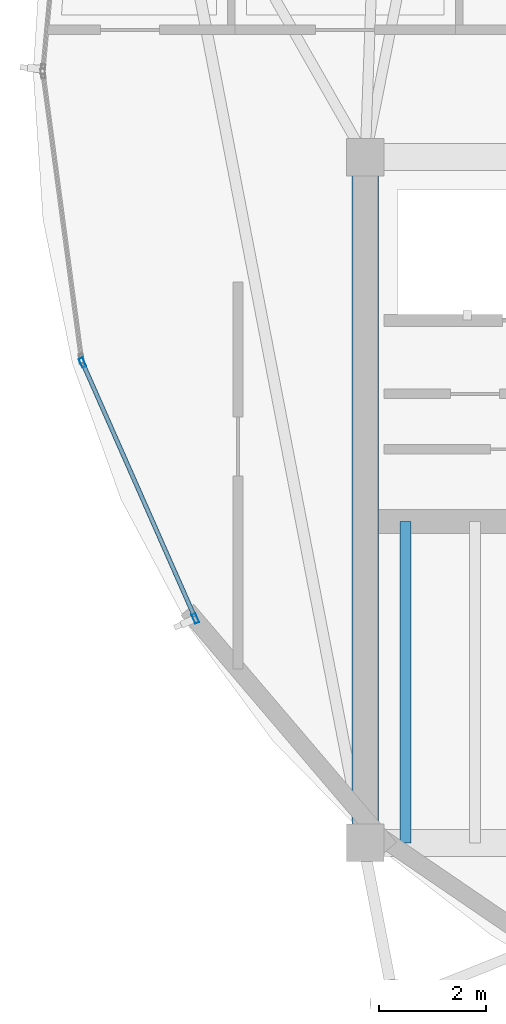
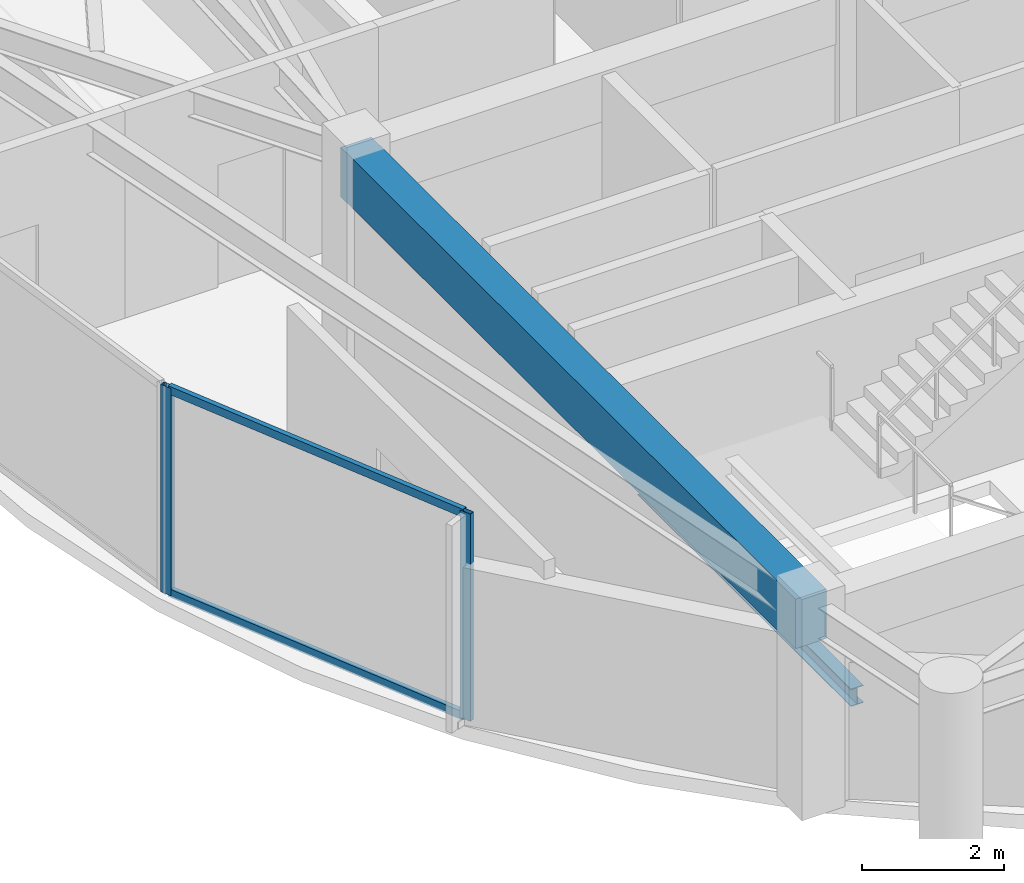
# One storey, part 3 of 23: 4 members, 2 beams, 1 element without a shape of its own.
"""IFC4 building model written with IfcOpenShell, lengths in metres."""

from ifc_helpers import new_model, si_unit, direction, frame, origin, origin_2d, place, context, subcontext, project, spatial, rectangle, hollow_rectangle, i_section, extrude, material, layer, layer_set, material_profile, profile_set, type_object, element, aggregate, save


model = new_model("IFC4")

# Units and contexts
model_context = context("Model", 3, precision=1e-05, world=origin(), true_north=direction((0.0, 1.0)))
body_context = subcontext(model_context, "Body", "Model", "MODEL_VIEW")
ifc_project = project(units=[si_unit("LENGTHUNIT", "METRE"), si_unit("AREAUNIT", "SQUARE_METRE"), si_unit("VOLUMEUNIT", "CUBIC_METRE"), si_unit("PLANEANGLEUNIT", "RADIAN"), si_unit("MASSUNIT", "GRAM", prefix="KILO")], contexts=[model_context])

# Site, building, storey
site_placement = place(None, origin())
site = spatial("IfcSite", under=ifc_project, at=site_placement, CompositionType="ELEMENT")
building_placement = place(site_placement, origin())
building = spatial("IfcBuilding", under=site, at=building_placement, Name="Kazevale Care Tower and Concert Hall", CompositionType="ELEMENT")
storey_placement = place(building_placement, frame((0.0, 0.0, 270.0)))
storey = spatial("IfcBuildingStorey", under=building, at=storey_placement, Name="L71", CompositionType="ELEMENT", Elevation=270.0)

# Curtain wall, members
ifc_material_1 = material(Name="Aluminium 6063-T6 and Low-E Glass", Category="aluminium")
ifc_layer = layer(ifc_material_1, 0.179931640625)
ifc_layer_set = layer_set([ifc_layer], Name="Aluminium 6063-T6 and Low-E Glass")
curtain_wall_type = type_object("IfcCurtainWallType", Name="Waist & Upper Residential Curtain Wall CW-4", PredefinedType="NOTDEFINED", material=ifc_layer_set)
curtain_wall_placement = place(storey_placement, origin())
curtain_wall = element("IfcCurtainWall", 1, at=curtain_wall_placement, inside=storey, type_object=curtain_wall_type, Name="cw:L71:f07", PredefinedType="NOTDEFINED")
ifc_material_2 = material(Name="Aluminium 6063-T6", Category="aluminium")
ifc_material_profile_1 = material_profile(ifc_material_2, hollow_rectangle(XDim=0.080078125, YDim=0.179931640625, WallThickness=0.0048828125, at=origin_2d()), Name="ALU80x180x5")
ifc_profile_set_1 = profile_set([ifc_material_profile_1], Name="Aluminium 6063-T6")
member_type_1 = type_object("IfcMemberType", Name="CW-4 Mullion ALU80x180x5", PredefinedType="MULLION", material=ifc_profile_set_1)
member_1_placement = place(storey_placement, frame((18.828857421875, 27.78759765625, 0.0), z_axis=(0.0, 0.0, 1.0), x_axis=(-0.914936245618, -0.403598397488, 0.0)))
member_1 = element("IfcMember", 2, at=member_1_placement, type_object=member_type_1, Name="CW-4 mullion 1", PredefinedType="MULLION", context=body_context, shape_type="SweptSolid", body=[
    extrude(hollow_rectangle(XDim=0.080078125, YDim=0.179931640625, WallThickness=0.0048828125, at=origin_2d()), origin(), (0.0, 0.0, 1.0), 3.56005859375),
])
member_2_placement = place(storey_placement, frame((16.72216796875, 32.5634765625, 0.0), z_axis=(0.0, 0.0, 1.0), x_axis=(-0.914936245618, -0.403598397488, 0.0)))
member_2 = element("IfcMember", 3, at=member_2_placement, type_object=member_type_1, Name="CW-4 mullion 2", PredefinedType="MULLION", context=body_context, shape_type="SweptSolid", body=[
    extrude(hollow_rectangle(XDim=0.080078125, YDim=0.179931640625, WallThickness=0.0048828125, at=origin_2d()), origin(), (0.0, 0.0, 1.0), 3.56005859375),
])
ifc_material_profile_2 = material_profile(ifc_material_2, hollow_rectangle(XDim=0.080078125, YDim=0.139892578125, WallThickness=0.00390625, at=origin_2d()), Name="ALU80x140x4")
ifc_profile_set_2 = profile_set([ifc_material_profile_2], Name="Aluminium 6063-T6")
member_type_2 = type_object("IfcMemberType", Name="CW-4 Transom ALU80x140x4", PredefinedType="USERDEFINED", material=ifc_profile_set_2)
member_3_placement = place(storey_placement, frame((18.812744140625, 27.82421875, 0.0400390625), z_axis=(-0.403602784518, 0.91493431039, 0.0), x_axis=(-0.91493431039, -0.403602784518, 0.0)))
member_3 = element("IfcMember", 4, at=member_3_placement, type_object=member_type_2, Name="CW-4 transom 1.1", ObjectType="TRANSOM", PredefinedType="USERDEFINED", context=body_context, shape_type="SweptSolid", body=[
    extrude(hollow_rectangle(XDim=0.080078125, YDim=0.139892578125, WallThickness=0.00390625, at=origin_2d()), origin(), (0.0, 0.0, 1.0), 5.139892578125),
])
member_4_placement = place(storey_placement, frame((18.812744140625, 27.82421875, 3.52001953125), z_axis=(-0.403602784518, 0.91493431039, 0.0), x_axis=(-0.91493431039, -0.403602784518, 0.0)))
member_4 = element("IfcMember", 5, at=member_4_placement, type_object=member_type_2, Name="CW-4 transom 1.2", ObjectType="TRANSOM", PredefinedType="USERDEFINED", context=body_context, shape_type="SweptSolid", body=[
    extrude(hollow_rectangle(XDim=0.080078125, YDim=0.139892578125, WallThickness=0.00390625, at=origin_2d()), origin(), (0.0, 0.0, 1.0), 5.139892578125),
])
aggregate(curtain_wall, [member_1, member_2, member_3, member_4])

# Beams
ifc_material_3 = material(Name="Concrete C60", Category="concrete")
ifc_material_profile_3 = material_profile(ifc_material_3, rectangle(XDim=0.5, YDim=0.85009765625, at=origin_2d()), Name="RC-B500x850")
ifc_profile_set_3 = profile_set([ifc_material_profile_3], Name="Concrete C60")
beam_type_1 = type_object("IfcBeamType", Name="Core Coupling Beam RC500x850", PredefinedType="LINTEL", material=ifc_profile_set_3)
beam_1_placement = place(storey_placement, frame((22.0, 36.39990234375, 3.135009765625), z_axis=(0.0, -1.0, 0.0), x_axis=(1.0, 0.0, 0.0)))
element("IfcBeam", 6, at=beam_1_placement, inside=storey, type_object=beam_type_1, Name="beam:L71:coretie:8", PredefinedType="LINTEL", context=body_context, shape_type="SweptSolid", body=[
    extrude(rectangle(XDim=0.5, YDim=0.85009765625, at=origin_2d()), origin(), (0.0, 0.0, 1.0), 12.7998046875),
])
ifc_material_4 = material(Name="Steel ASTM A572 Gr 50", Category="steel")
ifc_material_profile_4 = material_profile(ifc_material_4, i_section(OverallWidth=0.202880859375, OverallDepth=0.302978515625, WebThickness=0.007568359375, FlangeThickness=0.01318359375, at=origin_2d()), Name="W310x60")
ifc_profile_set_4 = profile_set([ifc_material_profile_4], Name="Steel ASTM A572 Gr 50")
beam_type_2 = type_object("IfcBeamType", Name="Stair & Balcony Trimmer W310x60", PredefinedType="BEAM", material=ifc_profile_set_4)
beam_2_placement = place(storey_placement, frame((22.75, 23.60009765625, 1.548583984375), z_axis=(0.0, 1.0, 0.0), x_axis=(-1.0, 0.0, 0.0)))
element("IfcBeam", 7, at=beam_2_placement, inside=storey, type_object=beam_type_2, Name="beam:L71:sttrim:ST1", PredefinedType="BEAM", context=body_context, shape_type="SweptSolid", body=[
    extrude(i_section(OverallWidth=0.202880859375, OverallDepth=0.302978515625, WebThickness=0.007568359375, FlangeThickness=0.01318359375, at=origin_2d()), origin(), (0.0, 0.0, 1.0), 6.0),
])

save(model, "model.ifc")
